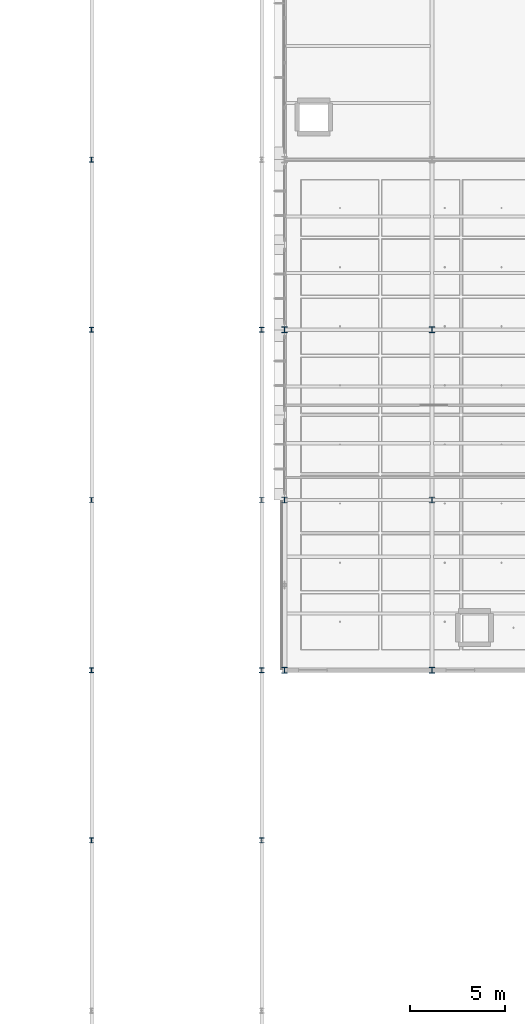
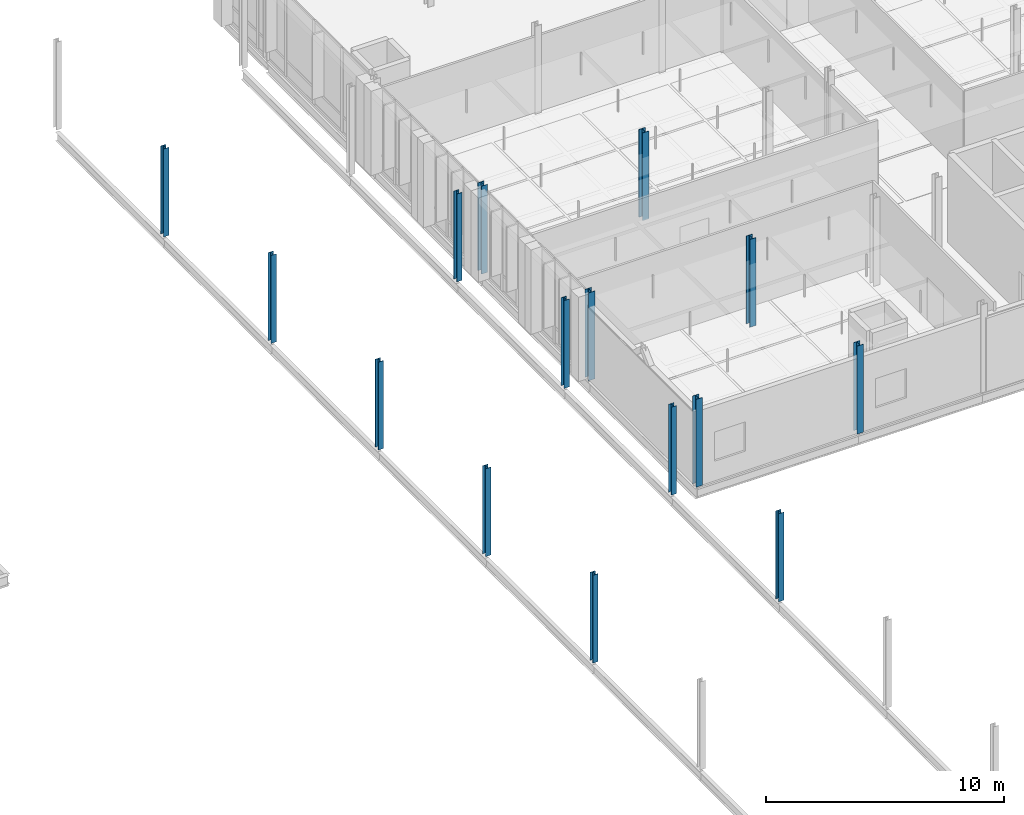
# One storey, part 13 of 130: 15 columns.
"""IFC4 building model written with IfcOpenShell, lengths in metres."""

import ifcopenshell
import ifcopenshell.guid

model = None  # the IFC model being written
_history = None  # IfcOwnerHistory: only IFC2X3 demands one
_inside = {}  # id of a spatial element -> (the spatial element, [elements in it])
_under = {}  # id of a project, library or spatial element -> (it, [spatial elements below it])
_declared = {}  # id of a project -> (the project, [libraries it declares])
_typed = {}  # id of a type object -> (the type object, [elements of that type])
_made_of = {}  # id of a material, layer set ... -> (it, [elements and type objects made of it])


def new_model(schema):
    """Start an empty IFC model of exactly this schema.

    Asked for "IFC4X3", IfcOpenShell would pick the latest addendum, in which some entities
    have other attributes; the version numbers below select the first issue.
    IFC2X3 requires an IfcOwnerHistory on every rooted entity: one is made here for all.
    """
    global model, _history
    if schema == "IFC4X3":
        model = ifcopenshell.file(schema_version=(4, 3, 0, 0))
    else:
        model = ifcopenshell.file(schema=schema)
    _inside.clear()
    _under.clear()
    _declared.clear()
    _typed.clear()
    _made_of.clear()
    _history = None
    if model.schema == "IFC2X3":
        org = make("IfcOrganization", Name="unknown")
        user = make(
            "IfcPersonAndOrganization",
            ThePerson=make("IfcPerson", FamilyName="unknown"),
            TheOrganization=org,
        )
        app = make(
            "IfcApplication",
            ApplicationDeveloper=org,
            Version="unknown",
            ApplicationFullName="unknown",
            ApplicationIdentifier="unknown",
        )
        _history = make(
            "IfcOwnerHistory",
            OwningUser=user,
            OwningApplication=app,
            ChangeAction="ADDED",
            CreationDate=0,
        )
    return model


def make(cls, **values):
    """One entity of the class cls with the attributes given. An attribute that is None is left unset."""
    return model.create_entity(
        cls, **{name: value for name, value in values.items() if value is not None}
    )


def rooted(cls, **values):
    """An entity with a GlobalId (a new one), such as an element, a storey or a relation."""
    return make(cls, GlobalId=ifcopenshell.guid.new(), OwnerHistory=_history, **values)


def si_unit(unit_type, name, prefix=None):
    """IfcSIUnit, for example si_unit("LENGTHUNIT", "METRE", prefix="MILLI")."""
    return make("IfcSIUnit", UnitType=unit_type, Prefix=prefix, Name=name)


def assignment(units):
    """IfcUnitAssignment: the units of a project."""
    return None if units is None else make("IfcUnitAssignment", Units=units)


def point(xyz):
    """IfcCartesianPoint."""
    return None if xyz is None else make("IfcCartesianPoint", Coordinates=xyz)


def direction(xyz):
    """IfcDirection."""
    return None if xyz is None else make("IfcDirection", DirectionRatios=xyz)


def frame(location, z_axis=None, x_axis=None):
    """IfcAxis2Placement3D, a coordinate frame: its origin and axes. An axis left out is left unset."""
    return make(
        "IfcAxis2Placement3D",
        Location=point(location),
        Axis=direction(z_axis),
        RefDirection=direction(x_axis),
    )


def frame_2d(location, x_axis=None):
    """IfcAxis2Placement2D, a coordinate frame in the plane: its origin and x axis."""
    return make(
        "IfcAxis2Placement2D", Location=point(location), RefDirection=direction(x_axis)
    )


def origin():
    """The frame at (0, 0, 0) with its axes left unset."""
    return frame((0.0, 0.0, 0.0))


def origin_2d():
    """The frame at (0, 0) in the plane with its x axis left unset."""
    return frame_2d((0.0, 0.0))


def place(relative_to, where):
    """IfcLocalPlacement: puts the frame where relative to a parent placement (None: the world)."""
    return make(
        "IfcLocalPlacement", PlacementRelTo=relative_to, RelativePlacement=where
    )


def context(
    kind, dimensions, precision=None, world=None, true_north=None, identifier=None
):
    """IfcGeometricRepresentationContext, for example the 3D "Model" context."""
    return make(
        "IfcGeometricRepresentationContext",
        ContextIdentifier=identifier,
        ContextType=kind,
        CoordinateSpaceDimension=dimensions,
        Precision=precision,
        WorldCoordinateSystem=world,
        TrueNorth=true_north,
    )


def subcontext(parent, identifier, kind, view, scale=None):
    """IfcGeometricRepresentationSubContext, for example "Body" below "Model"."""
    return make(
        "IfcGeometricRepresentationSubContext",
        ContextIdentifier=identifier,
        ContextType=kind,
        ParentContext=parent,
        TargetScale=scale,
        TargetView=view,
    )


def project(units=None, contexts=None):
    """IfcProject with its units and contexts."""
    return rooted(
        "IfcProject",
        Name="project",
        RepresentationContexts=contexts,
        UnitsInContext=assignment(units),
    )


def spatial(cls, under=None, at=None, **own):
    """A site, building, storey or space (cls), placed at a placement, below another one or the project."""
    s = rooted(cls, ObjectPlacement=at, **own)
    if under is not None:
        _under.setdefault(under.id(), (under, []))[1].append(s)
    return s


def profile(cls, at=None, kind="AREA", **sizes):
    """A parametric profile (cls). Its sizes go by their IFC names, for example OverallWidth=200.0."""
    return make(cls, ProfileType=kind, Position=at, **sizes)


def i_section(**sizes):
    """IfcIShapeProfileDef."""
    return profile("IfcIShapeProfileDef", **sizes)


def extrude(swept, where, along, depth):
    """IfcExtrudedAreaSolid: the profile swept, set in the frame where, extruded along a direction by depth."""
    return make(
        "IfcExtrudedAreaSolid",
        SweptArea=swept,
        Position=where,
        ExtrudedDirection=direction(along),
        Depth=depth,
    )


def shape(context_of_items, identifier, shape_type, items):
    """IfcShapeRepresentation: the items that make up one representation, for example the "Body"."""
    return make(
        "IfcShapeRepresentation",
        ContextOfItems=context_of_items,
        RepresentationIdentifier=identifier,
        RepresentationType=shape_type,
        Items=items,
    )


def material(Name=None, Category=None):
    """IfcMaterial."""
    return make("IfcMaterial", Name=Name, Category=Category)


def material_profile(
    of_material, cross_section, Name=None, Category=None, Priority=None
):
    """IfcMaterialProfile: a cross section and its material."""
    return make(
        "IfcMaterialProfile",
        Name=Name,
        Material=of_material,
        Profile=cross_section,
        Priority=Priority,
        Category=Category,
    )


def profile_set(profiles, Name=None, composite=None):
    """IfcMaterialProfileSet."""
    return make(
        "IfcMaterialProfileSet",
        Name=Name,
        MaterialProfiles=profiles,
        CompositeProfile=composite,
    )


def made_of(thing, what):
    """Note that an element or type object is made of a material, layer set ...; save() writes the relation."""
    if what is not None:
        _made_of.setdefault(what.id(), (what, []))[1].append(thing)
    return thing


def type_object(cls, material=None, **own):
    """A type object (cls), such as IfcWallType, which elements share."""
    return made_of(rooted(cls, **own), material)


def element(
    cls,
    number,
    at=None,
    inside=None,
    cuts=None,
    type_object=None,
    material=None,
    context=None,
    identifier="Body",
    shape_type=None,
    held_by="IfcProductDefinitionShape",
    body=None,
    shapes=None,
    **own,
):
    """One element of the class cls, such as IfcWall. Its Tag is "e" and its number.

    at: its placement. inside: the storey or other place that contains it. cuts: it is an
    opening in that element (IfcRelVoidsElement). A single representation is given by context,
    identifier, shape_type and body (its items); several are given by shapes. held_by: the class
    of the entity that holds the representations. save() writes the other relations.
    """
    e = rooted(cls, Tag="e%d" % number, ObjectPlacement=at, **own)
    if body is not None:
        shapes = [shape(context, identifier, shape_type, body)]
    if shapes is not None:
        e.Representation = make(held_by, Representations=shapes)
    if inside is not None:
        _inside.setdefault(inside.id(), (inside, []))[1].append(e)
    if cuts is not None:
        rooted(
            "IfcRelVoidsElement", RelatingBuildingElement=cuts, RelatedOpeningElement=e
        )
    if type_object is not None:
        _typed.setdefault(type_object.id(), (type_object, []))[1].append(e)
    return made_of(e, material)


def aggregate(whole, parts):
    """IfcRelAggregates: a whole, such as a stair, and the parts it consists of."""
    return rooted("IfcRelAggregates", RelatingObject=whole, RelatedObjects=parts)


def save(model, path):
    """Write the relations noted so far, then the file.

    IfcRelAggregates (storeys below a building ...), IfcRelContainedInSpatialStructure (elements
    in a storey), IfcRelDefinesByType, IfcRelAssociatesMaterial and IfcRelDeclares: one each for
    every whole, place, type object, material and project.
    """
    for whole, parts in _under.values():
        aggregate(whole, parts)
    for where, things in _inside.values():
        rooted(
            "IfcRelContainedInSpatialStructure",
            RelatedElements=things,
            RelatingStructure=where,
        )
    for kind, things in _typed.values():
        rooted("IfcRelDefinesByType", RelatedObjects=things, RelatingType=kind)
    for what, things in _made_of.values():
        rooted("IfcRelAssociatesMaterial", RelatedObjects=things, RelatingMaterial=what)
    for by, libraries in _declared.values():
        rooted("IfcRelDeclares", RelatingContext=by, RelatedDefinitions=libraries)
    model.write(path)


model = new_model("IFC4")

# Units and contexts
model_context = context("Model", 3, precision=1e-05, world=origin(), true_north=direction((0.0, 1.0)))
body_context = subcontext(model_context, "Body", "Model", "MODEL_VIEW")
ifc_project = project(units=[si_unit("LENGTHUNIT", "METRE"), si_unit("AREAUNIT", "SQUARE_METRE"), si_unit("VOLUMEUNIT", "CUBIC_METRE"), si_unit("PLANEANGLEUNIT", "RADIAN"), si_unit("MASSUNIT", "GRAM", prefix="KILO"), si_unit("THERMODYNAMICTEMPERATUREUNIT", "KELVIN"), si_unit("POWERUNIT", "WATT")], contexts=[model_context])

# Site, building, storey
site_placement = place(None, origin())
site = spatial("IfcSite", under=ifc_project, at=site_placement, CompositionType="ELEMENT")
building_placement = place(site_placement, origin())
building = spatial("IfcBuilding", under=site, at=building_placement, Name="Tallowbark Science Centre", CompositionType="ELEMENT")
storey_placement = place(building_placement, frame((0.0, 0.0, 5.39990234375)))
storey = spatial("IfcBuildingStorey", under=building, at=storey_placement, Name="L01", CompositionType="ELEMENT", Elevation=5.39990234375)

# Columns
ifc_material = material(Name="Structural Steel Grade 300PLUS (300 MPa)", Category="steel")
ifc_material_profile_1 = material_profile(ifc_material, i_section(OverallWidth=0.256103515625, OverallDepth=0.260009765625, WebThickness=0.010498046875, FlangeThickness=0.017333984375, FilletRadius=0.013916015625, at=origin_2d()), Name="250UC89.5")
ifc_profile_set_1 = profile_set([ifc_material_profile_1], Name="Structural Steel Grade 300PLUS (300 MPa)")
column_type_1 = type_object("IfcColumnType", Name="COL-UC250A", PredefinedType="COLUMN", material=ifc_profile_set_1)
for number, where, z_axis, x_axis, name in (
    (1, (45.0, 63.0, 0.0), (0.0, 0.0, 1.0), (1.0, 0.0, 0.0), "Column PAS-W07 L01"),
    (2, (54.0, 63.0, 0.0), (0.0, 0.0, 1.0), (1.0, 0.0, 0.0), "Column PAS-E07 L01"),
    (3, (45.0, 72.0, 0.0), (0.0, 0.0, 1.0), (1.0, 0.0, 0.0), "Column PAS-W08 L01"),
    (4, (54.0, 72.0, 0.0), (0.0, 0.0, 1.0), (1.0, 0.0, 0.0), "Column PAS-E08 L01"),
    (5, (45.0, 81.0, 0.0), (0.0, 0.0, 1.0), (1.0, 0.0, 0.0), "Column PAS-W09 L01"),
    (6, (54.0, 81.0, 0.0), (0.0, 0.0, 1.0), (1.0, 0.0, 0.0), "Column PAS-E09 L01"),
    (7, (45.0, 90.0, 0.0), (0.0, 0.0, 1.0), (1.0, 0.0, 0.0), "Column PAS-W10 L01"),
    (8, (54.0, 90.0, 0.0), (0.0, 0.0, 1.0), (1.0, 0.0, 0.0), "Column PAS-E10 L01"),
    (9, (45.0, 99.0, 0.0), (0.0, 0.0, 1.0), (1.0, 0.0, 0.0), "Column PAS-W11 L01"),
):
    element("IfcColumn", number, at=place(storey_placement, frame(where, z_axis=z_axis, x_axis=x_axis)), inside=storey, type_object=column_type_1, Name=name, PredefinedType="COLUMN", context=body_context, shape_type="SweptSolid", body=[
        extrude(i_section(OverallWidth=0.256103515625, OverallDepth=0.260009765625, WebThickness=0.010498046875, FlangeThickness=0.017333984375, FilletRadius=0.013916015625, at=origin_2d()), origin(), (0.0, 0.0, 1.0), 4.5),
    ])
ifc_material_profile_2 = material_profile(ifc_material, i_section(OverallWidth=0.307373046875, OverallDepth=0.314697265625, WebThickness=0.011962890625, FlangeThickness=0.018798828125, FilletRadius=0.0166015625, at=origin_2d()), Name="310UC118")
ifc_profile_set_2 = profile_set([ifc_material_profile_2], Name="Structural Steel Grade 300PLUS (300 MPa)")
column_type_2 = type_object("IfcColumnType", Name="COL-UC310C", PredefinedType="COLUMN", material=ifc_profile_set_2)
for number, where, z_axis, x_axis, name in (
    (10, (63.0, 72.0, 0.0), (0.0, 0.0, 1.0), (1.0, 0.0, 0.0), "Column LAB-1_0 L01"),
    (11, (63.0, 81.0, 0.0), (0.0, 0.0, 1.0), (1.0, 0.0, 0.0), "Column LAB-1_1 L01"),
    (12, (63.0, 90.0, 0.0), (0.0, 0.0, 1.0), (1.0, 0.0, 0.0), "Column LAB-1_2 L01"),
):
    element("IfcColumn", number, at=place(storey_placement, frame(where, z_axis=z_axis, x_axis=x_axis)), inside=storey, type_object=column_type_2, Name=name, PredefinedType="COLUMN", context=body_context, shape_type="SweptSolid", body=[
        extrude(i_section(OverallWidth=0.307373046875, OverallDepth=0.314697265625, WebThickness=0.011962890625, FlangeThickness=0.018798828125, FilletRadius=0.0166015625, at=origin_2d()), origin(), (0.0, 0.0, 1.0), 4.5),
    ])
ifc_material_profile_3 = material_profile(ifc_material, i_section(OverallWidth=0.304931640625, OverallDepth=0.30810546875, WebThickness=0.010009765625, FlangeThickness=0.015380859375, FilletRadius=0.0166015625, at=origin_2d()), Name="310UC96.8")
ifc_profile_set_3 = profile_set([ifc_material_profile_3], Name="Structural Steel Grade 300PLUS (300 MPa)")
column_type_3 = type_object("IfcColumnType", Name="COL-UC310D", PredefinedType="COLUMN", material=ifc_profile_set_3)
for number, where, z_axis, x_axis, name in (
    (13, (55.199951171875, 72.0, 0.0), (0.0, 0.0, 1.0), (1.0, 0.0, 0.0), "Column LAB-0_0 L01"),
    (14, (55.199951171875, 81.0, 0.0), (0.0, 0.0, 1.0), (1.0, 0.0, 0.0), "Column LAB-0_1 L01"),
    (15, (55.199951171875, 90.0, 0.0), (0.0, 0.0, 1.0), (1.0, 0.0, 0.0), "Column LAB-0_2 L01"),
):
    element("IfcColumn", number, at=place(storey_placement, frame(where, z_axis=z_axis, x_axis=x_axis)), inside=storey, type_object=column_type_3, Name=name, PredefinedType="COLUMN", context=body_context, shape_type="SweptSolid", body=[
        extrude(i_section(OverallWidth=0.304931640625, OverallDepth=0.30810546875, WebThickness=0.010009765625, FlangeThickness=0.015380859375, FilletRadius=0.0166015625, at=origin_2d()), origin(), (0.0, 0.0, 1.0), 4.5),
    ])

save(model, "model.ifc")
